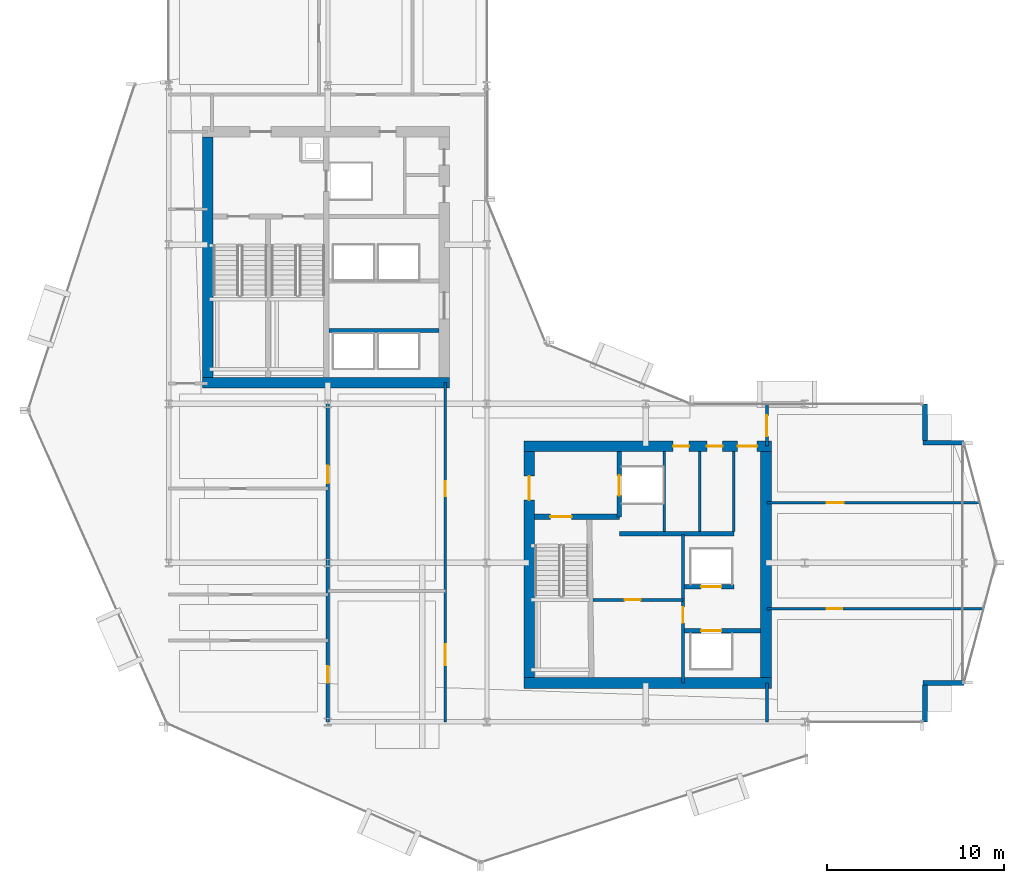
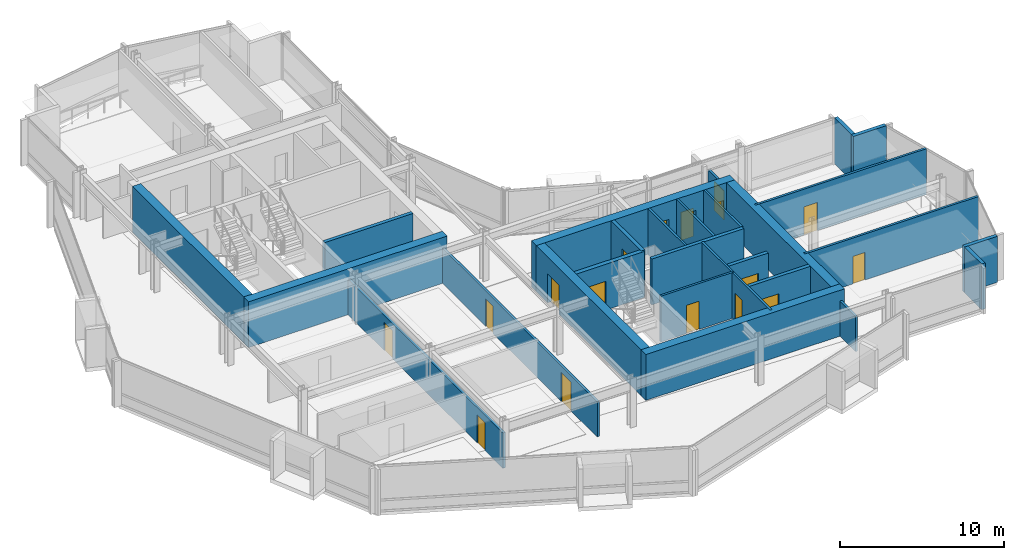
# One storey, part 22 of 29: 27 walls, 17 doors, 17 openings.
"""IFC4 building model written with IfcOpenShell, lengths in metres."""

from ifc_helpers import new_model, si_unit, direction, frame, frame_2d, origin, place, context, subcontext, project, spatial, rectangle, extrude, material, layer, layer_set, type_object, element, fill, save


model = new_model("IFC4")

# Units and contexts
model_context = context("Model", 3, precision=1e-05, world=origin(), true_north=direction((0.0, 1.0)))
body_context = subcontext(model_context, "Body", "Model", "MODEL_VIEW")
ifc_project = project(units=[si_unit("LENGTHUNIT", "METRE"), si_unit("AREAUNIT", "SQUARE_METRE"), si_unit("VOLUMEUNIT", "CUBIC_METRE"), si_unit("PLANEANGLEUNIT", "RADIAN"), si_unit("MASSUNIT", "GRAM", prefix="KILO")], contexts=[model_context])

# Site, building, storey
site_placement = place(None, origin())
site = spatial("IfcSite", under=ifc_project, at=site_placement, CompositionType="ELEMENT")
building_placement = place(site_placement, origin())
building = spatial("IfcBuilding", under=site, at=building_placement, Name="Solvaryn Broadcast Tower", CompositionType="ELEMENT")
storey_placement = place(building_placement, frame((0.0, 0.0, 113.699951171875)))
storey = spatial("IfcBuildingStorey", under=building, at=storey_placement, Name="L27", CompositionType="ELEMENT", Elevation=113.699951171875)

# Walls
ifc_material_1 = material(Name="Concrete f'c 70 MPa", Category="concrete")
ifc_layer_1 = layer(ifc_material_1, 0.60009765625)
ifc_layer_set_1 = layer_set([ifc_layer_1], Name="CW-SHEAR-600")
wall_type_1 = type_object("IfcWallType", Name="CW-SHEAR-600", PredefinedType="SHEAR", material=ifc_layer_set_1)
wall_1_placement = place(storey_placement, frame((10.89990234375, 28.199951171875, 0.0), z_axis=(0.0, 0.0, 1.0), x_axis=(1.0, 0.0, 0.0)))
element("IfcWall", 1, at=wall_1_placement, inside=storey, type_object=wall_type_1, Name="L27 West Core South Shear Wall", PredefinedType="SHEAR", context=body_context, shape_type="SweptSolid", body=[
    extrude(rectangle(XDim=14.0, YDim=0.60009765625, at=frame_2d((7.0, 0.0))), origin(), (0.0, 0.0, 1.0), 3.420166015625),
])
wall_2_placement = place(storey_placement, frame((11.199951171875, 42.10009765625, 0.0), z_axis=(0.0, 0.0, 1.0), x_axis=(0.0, -1.0, 0.0)))
element("IfcWall", 2, at=wall_2_placement, inside=storey, type_object=wall_type_1, Name="L27 West Core West Shear Wall", PredefinedType="SHEAR", context=body_context, shape_type="SweptSolid", body=[
    extrude(rectangle(XDim=13.60009765625, YDim=0.60009765625, at=frame_2d((6.800048828125, 0.0))), origin(), (0.0, 0.0, 1.0), 3.420166015625),
])
wall_3_placement = place(storey_placement, frame((29.10009765625, 11.199951171875, 0.0), z_axis=(0.0, 0.0, 1.0), x_axis=(1.0, 0.0, 0.0)))
element("IfcWall", 3, at=wall_3_placement, inside=storey, type_object=wall_type_1, Name="L27 East Core South Shear Wall", PredefinedType="SHEAR", context=body_context, shape_type="SweptSolid", body=[
    extrude(rectangle(XDim=14.0, YDim=0.60009765625, at=frame_2d((7.0, 0.0))), origin(), (0.0, 0.0, 1.0), 3.420166015625),
])

# Wall, openings, doors
wall_4_placement = place(storey_placement, frame((43.10009765625, 24.60009765625, 0.0), z_axis=(0.0, 0.0, 1.0), x_axis=(-1.0, 0.0, 0.0)))
wall_4 = element("IfcWall", 4, at=wall_4_placement, inside=storey, type_object=wall_type_1, Name="L27 East Core North Shear Wall", PredefinedType="SHEAR", context=body_context, shape_type="SweptSolid", body=[
    extrude(rectangle(XDim=14.0, YDim=0.60009765625, at=frame_2d((7.0, 0.0))), origin(), (0.0, 0.0, 1.0), 3.420166015625),
])
opening_1_placement = place(wall_4_placement, frame((0.800048828125, 0.0, 0.0)))
opening_1 = element("IfcOpeningElement", 5, at=opening_1_placement, cuts=wall_4, Name="Opening FD90C", PredefinedType="OPENING", context=body_context, shape_type="SweptSolid", body=[
    extrude(rectangle(XDim=1.10009765625, YDim=2.14990234375, at=frame_2d((0.550048828125, 1.074951171875))), frame((0.0, 0.31005859375, 0.0), z_axis=(0.0, -1.0, 0.0), x_axis=(1.0, 0.0, 0.0)), (0.0, 0.0, 1.0), 0.6201171875),
])
opening_2_placement = place(wall_4_placement, frame((2.75, 0.0, 0.0)))
opening_2 = element("IfcOpeningElement", 6, at=opening_2_placement, cuts=wall_4, Name="Opening FD60C", PredefinedType="OPENING", context=body_context, shape_type="SweptSolid", body=[
    extrude(rectangle(XDim=0.89990234375, YDim=2.10009765625, at=frame_2d((0.449951171875, 1.050048828125))), frame((0.0, 0.31005859375, 0.0), z_axis=(0.0, -1.0, 0.0), x_axis=(1.0, 0.0, 0.0)), (0.0, 0.0, 1.0), 0.6201171875),
])
opening_3_placement = place(wall_4_placement, frame((4.64990234375, 0.0, 0.0)))
opening_3 = element("IfcOpeningElement", 7, at=opening_3_placement, cuts=wall_4, Name="Opening FD60C", PredefinedType="OPENING", context=body_context, shape_type="SweptSolid", body=[
    extrude(rectangle(XDim=0.89990234375, YDim=2.10009765625, at=frame_2d((0.449951171875, 1.050048828125))), frame((0.0, 0.31005859375, 0.0), z_axis=(0.0, -1.0, 0.0), x_axis=(1.0, 0.0, 0.0)), (0.0, 0.0, 1.0), 0.6201171875),
])
ifc_material_2 = material(Name="Flush Acoustic Steel and Timber Door Assembly", Category="steel")
door_type_1 = type_object("IfcDoorType", Name="FD60-SERV-900X2100", OperationType="NOTDEFINED", PredefinedType="DOOR", material=ifc_material_2)
door_1_placement = place(opening_2_placement, origin())
door_1 = element("IfcDoor", 8, at=door_1_placement, inside=storey, type_object=door_type_1, Name="L27 Staff Restroom Door", OperationType="SINGLE_SWING_LEFT", OverallHeight=2.10009765625, OverallWidth=0.89990234375, PredefinedType="DOOR", context=body_context, shape_type="SweptSolid", body=[
    extrude(rectangle(XDim=0.89990234375, YDim=2.10009765625, at=frame_2d((0.449951171875, 1.050048828125))), frame((0.0, 0.02490234375, 0.0), z_axis=(0.0, -1.0, 0.0), x_axis=(1.0, 0.0, 0.0)), (0.0, 0.0, 1.0), 0.050048828125),
])
fill(opening_2, door_1)
door_2_placement = place(opening_3_placement, origin())
door_2 = element("IfcDoor", 9, at=door_2_placement, inside=storey, type_object=door_type_1, Name="L27 Accessible WC Door", OperationType="SINGLE_SWING_RIGHT", OverallHeight=2.10009765625, OverallWidth=0.89990234375, PredefinedType="DOOR", context=body_context, shape_type="SweptSolid", body=[
    extrude(rectangle(XDim=0.89990234375, YDim=2.10009765625, at=frame_2d((0.449951171875, 1.050048828125))), frame((0.0, 0.02490234375, 0.0), z_axis=(0.0, -1.0, 0.0), x_axis=(1.0, 0.0, 0.0)), (0.0, 0.0, 1.0), 0.050048828125),
])
fill(opening_3, door_2)
ifc_material_3 = material(Name="Flush Acoustic Steel and Timber Door Assembly", Category="steel")
door_type_2 = type_object("IfcDoorType", Name="FD90-PLANT-1100X2150", OperationType="NOTDEFINED", PredefinedType="DOOR", material=ifc_material_3)
door_3_placement = place(opening_1_placement, origin())
door_3 = element("IfcDoor", 10, at=door_3_placement, inside=storey, type_object=door_type_2, Name="L27 East Core Lobby Corridor Door", OperationType="SINGLE_SWING_LEFT", OverallHeight=2.14990234375, OverallWidth=1.10009765625, PredefinedType="DOOR", context=body_context, shape_type="SweptSolid", body=[
    extrude(rectangle(XDim=1.10009765625, YDim=2.14990234375, at=frame_2d((0.550048828125, 1.074951171875))), frame((0.0, 0.02490234375, 0.0), z_axis=(0.0, -1.0, 0.0), x_axis=(1.0, 0.0, 0.0)), (0.0, 0.0, 1.0), 0.050048828125),
])
fill(opening_1, door_3)

# Wall, opening, door
wall_5_placement = place(storey_placement, frame((29.39990234375, 24.300048828125, 0.0), z_axis=(0.0, 0.0, 1.0), x_axis=(0.0, -1.0, 0.0)))
wall_5 = element("IfcWall", 11, at=wall_5_placement, inside=storey, type_object=wall_type_1, Name="L27 East Core West Shear Wall", PredefinedType="SHEAR", context=body_context, shape_type="SweptSolid", body=[
    extrude(rectangle(XDim=12.800048828125, YDim=0.60009765625, at=frame_2d((6.39990234375, 0.0))), origin(), (0.0, 0.0, 1.0), 3.420166015625),
])
opening_4_placement = place(wall_5_placement, frame((1.39990234375, 0.0, 0.0)))
opening_4 = element("IfcOpeningElement", 12, at=opening_4_placement, cuts=wall_5, Name="Opening FD90B", PredefinedType="OPENING", context=body_context, shape_type="SweptSolid", body=[
    extrude(rectangle(XDim=1.35009765625, YDim=2.14990234375, at=frame_2d((0.675048828125, 1.074951171875))), frame((0.0, 0.31005859375, 0.0), z_axis=(0.0, -1.0, 0.0), x_axis=(1.0, 0.0, 0.0)), (0.0, 0.0, 1.0), 0.6201171875),
])
ifc_material_4 = material(Name="Flush Acoustic Steel and Timber Door Assembly", Category="steel")
door_type_3 = type_object("IfcDoorType", Name="FD90-LOBBY-1350X2150", OperationType="NOTDEFINED", PredefinedType="DOOR", material=ifc_material_4)
door_4_placement = place(opening_4_placement, origin())
door_4 = element("IfcDoor", 13, at=door_4_placement, inside=storey, type_object=door_type_3, Name="L27 East FSAE Lobby Door", OperationType="SINGLE_SWING_RIGHT", OverallHeight=2.14990234375, OverallWidth=1.35009765625, PredefinedType="DOOR", context=body_context, shape_type="SweptSolid", body=[
    extrude(rectangle(XDim=1.35009765625, YDim=2.14990234375, at=frame_2d((0.675048828125, 1.074951171875))), frame((0.0, 0.02490234375, 0.0), z_axis=(0.0, -1.0, 0.0), x_axis=(1.0, 0.0, 0.0)), (0.0, 0.0, 1.0), 0.050048828125),
])
fill(opening_4, door_4)

# Walls
wall_6_placement = place(storey_placement, frame((42.800048828125, 11.5, 0.0), z_axis=(0.0, 0.0, 1.0), x_axis=(0.0, 1.0, 0.0)))
element("IfcWall", 14, at=wall_6_placement, inside=storey, type_object=wall_type_1, Name="L27 East Core East Shear Wall", PredefinedType="SHEAR", context=body_context, shape_type="SweptSolid", body=[
    extrude(rectangle(XDim=12.800048828125, YDim=0.60009765625, at=frame_2d((6.39990234375, 0.0))), origin(), (0.0, 0.0, 1.0), 3.420166015625),
])
ifc_material_5 = material(Name="Concrete f'c 50 MPa", Category="concrete")
ifc_layer_2 = layer(ifc_material_5, 0.260009765625)
ifc_layer_set_2 = layer_set([ifc_layer_2], Name="EW-PIER-260")
wall_type_2 = type_object("IfcWallType", Name="EW-PIER-260", PredefinedType="SOLIDWALL", material=ifc_layer_set_2)
wall_7_placement = place(storey_placement, frame((51.800048828125, 9.0, 0.0), z_axis=(0.0, 0.0, 1.0), x_axis=(0.0, 1.0, 0.0)))
element("IfcWall", 15, at=wall_7_placement, inside=storey, type_object=wall_type_2, Name="L27 Notched Corner Pier Wall NSE1", PredefinedType="SOLIDWALL", context=body_context, shape_type="SweptSolid", body=[
    extrude(rectangle(XDim=2.080078125, YDim=0.260009765625, at=frame_2d((1.0400390625, 0.0))), origin(), (0.0, 0.0, 1.0), 3.420166015625),
])
for number, where, z_axis, x_axis, name in (
    (16, (51.679931640625, 11.199951171875, 0.0), (0.0, 0.0, 1.0), (1.0, 0.0, 0.0), "L27 Notched Corner Pier Wall NSE2"),
    (17, (54.0, 24.800048828125, 0.0), (0.0, 0.0, 1.0), (-1.0, 0.0, 0.0), "L27 Notched Corner Pier Wall NEE1"),
):
    element("IfcWall", number, at=place(storey_placement, frame(where, z_axis=z_axis, x_axis=x_axis)), inside=storey, type_object=wall_type_2, Name=name, PredefinedType="SOLIDWALL", context=body_context, shape_type="SweptSolid", body=[
        extrude(rectangle(XDim=2.320068359375, YDim=0.260009765625, at=frame_2d((1.16015625, 0.0))), origin(), (0.0, 0.0, 1.0), 3.420166015625),
    ])
wall_8_placement = place(storey_placement, frame((51.800048828125, 24.919921875, 0.0), z_axis=(0.0, 0.0, 1.0), x_axis=(0.0, 1.0, 0.0)))
element("IfcWall", 18, at=wall_8_placement, inside=storey, type_object=wall_type_2, Name="L27 Notched Corner Pier Wall NEE2", PredefinedType="SOLIDWALL", context=body_context, shape_type="SweptSolid", body=[
    extrude(rectangle(XDim=2.080078125, YDim=0.260009765625, at=frame_2d((1.0400390625, 0.0))), origin(), (0.0, 0.0, 1.0), 3.420166015625),
])

# Wall, opening, door
ifc_material_6 = material(Name="Metal-Stud Service Core Partition")
ifc_layer_3 = layer(ifc_material_6, 0.14990234375)
ifc_layer_set_3 = layer_set([ifc_layer_3], Name="IW-PART-150")
wall_type_3 = type_object("IfcWallType", Name="IW-PART-150", PredefinedType="PARTITIONING", material=ifc_layer_set_3)
wall_9_placement = place(storey_placement, frame((33.0, 15.89990234375, 0.0), z_axis=(0.0, 0.0, 1.0), x_axis=(1.0, 0.0, 0.0)))
wall_9 = element("IfcWall", 19, at=wall_9_placement, inside=storey, type_object=wall_type_3, Name="L27 Interior Partition IW-L27-RPL-H", PredefinedType="PARTITIONING", context=body_context, shape_type="SweptSolid", body=[
    extrude(rectangle(XDim=5.10009765625, YDim=0.14990234375, at=frame_2d((2.550048828125, 0.0))), origin(), (0.0, 0.0, 1.0), 3.420166015625),
])
opening_5_placement = place(wall_9_placement, frame((1.800048828125, 0.0, 0.0)))
opening_5 = element("IfcOpeningElement", 20, at=opening_5_placement, cuts=wall_9, Name="Opening FD60C", PredefinedType="OPENING", context=body_context, shape_type="SweptSolid", body=[
    extrude(rectangle(XDim=0.89990234375, YDim=2.10009765625, at=frame_2d((0.449951171875, 1.050048828125))), frame((0.0, 0.0849609375, 0.0), z_axis=(0.0, -1.0, 0.0), x_axis=(1.0, 0.0, 0.0)), (0.0, 0.0, 1.0), 0.169921875),
])
door_5_placement = place(opening_5_placement, origin())
door_5 = element("IfcDoor", 21, at=door_5_placement, inside=storey, type_object=door_type_1, Name="L27 Door DR-L27-RPL1", OperationType="SINGLE_SWING_LEFT", OverallHeight=2.10009765625, OverallWidth=0.89990234375, PredefinedType="DOOR", context=body_context, shape_type="SweptSolid", body=[
    extrude(rectangle(XDim=0.89990234375, YDim=2.10009765625, at=frame_2d((0.449951171875, 1.050048828125))), frame((0.0, 0.02490234375, 0.0), z_axis=(0.0, -1.0, 0.0), x_axis=(1.0, 0.0, 0.0)), (0.0, 0.0, 1.0), 0.050048828125),
])
fill(opening_5, door_5)

wall_10_placement = place(storey_placement, frame((38.10009765625, 11.199951171875, 0.0), z_axis=(0.0, 0.0, 1.0), x_axis=(0.0, 1.0, 0.0)))
wall_10 = element("IfcWall", 22, at=wall_10_placement, inside=storey, type_object=wall_type_3, Name="L27 Interior Partition IW-L27-RPL-E", PredefinedType="PARTITIONING", context=body_context, shape_type="SweptSolid", body=[
    extrude(rectangle(XDim=8.400146484375, YDim=0.14990234375, at=frame_2d((4.2001953125, 0.0))), origin(), (0.0, 0.0, 1.0), 3.420166015625),
])
opening_6_placement = place(wall_10_placement, frame((3.39990234375, 0.0, 0.0)))
opening_6 = element("IfcOpeningElement", 23, at=opening_6_placement, cuts=wall_10, Name="Opening FD60C", PredefinedType="OPENING", context=body_context, shape_type="SweptSolid", body=[
    extrude(rectangle(XDim=0.89990234375, YDim=2.10009765625, at=frame_2d((0.449951171875, 1.050048828125))), frame((0.0, 0.0849609375, 0.0), z_axis=(0.0, -1.0, 0.0), x_axis=(1.0, 0.0, 0.0)), (0.0, 0.0, 1.0), 0.169921875),
])
door_6_placement = place(opening_6_placement, origin())
door_6 = element("IfcDoor", 24, at=door_6_placement, inside=storey, type_object=door_type_1, Name="L27 Door DR-L27-RPL2", OperationType="SINGLE_SWING_RIGHT", OverallHeight=2.10009765625, OverallWidth=0.89990234375, PredefinedType="DOOR", context=body_context, shape_type="SweptSolid", body=[
    extrude(rectangle(XDim=0.89990234375, YDim=2.10009765625, at=frame_2d((0.449951171875, 1.050048828125))), frame((0.0, 0.02490234375, 0.0), z_axis=(0.0, -1.0, 0.0), x_axis=(1.0, 0.0, 0.0)), (0.0, 0.0, 1.0), 0.050048828125),
])
fill(opening_6, door_6)

# Walls
for number, where, z_axis, x_axis, name in (
    (25, (37.050048828125, 19.780029296875, 0.0), (0.0, 0.0, 1.0), (0.0, 1.0, 0.0), "L27 Interior Partition IW-L27-CE-FL2E"),
    (26, (39.050048828125, 19.780029296875, 0.0), (0.0, 0.0, 1.0), (0.0, 1.0, 0.0), "L27 Interior Partition IW-L27-CE-V1"),
    (27, (40.97998046875, 19.780029296875, 0.0), (0.0, 0.0, 1.0), (0.0, 1.0, 0.0), "L27 Interior Partition IW-L27-CE-V3"),
):
    element("IfcWall", number, at=place(storey_placement, frame(where, z_axis=z_axis, x_axis=x_axis)), inside=storey, type_object=wall_type_3, Name=name, PredefinedType="PARTITIONING", context=body_context, shape_type="SweptSolid", body=[
        extrude(rectangle(XDim=4.52001953125, YDim=0.14990234375, at=frame_2d((2.260009765625, 0.0))), origin(), (0.0, 0.0, 1.0), 3.420166015625),
    ])

# Wall, openings, doors
ifc_material_7 = material(Name="Metal-Stud Gypsum Office Partition")
ifc_layer_4 = layer(ifc_material_7, 0.159912109375)
ifc_layer_set_4 = layer_set([ifc_layer_4], Name="IW-PART-160")
wall_type_4 = type_object("IfcWallType", Name="IW-PART-160", PredefinedType="PARTITIONING", material=ifc_layer_set_4)
wall_11_placement = place(storey_placement, frame((24.64990234375, 9.0, 0.0), z_axis=(0.0, 0.0, 1.0), x_axis=(0.0, 1.0, 0.0)))
wall_11 = element("IfcWall", 28, at=wall_11_placement, inside=storey, type_object=wall_type_4, Name="L27 Interior Partition IW-L27-SW-EB", PredefinedType="PARTITIONING", context=body_context, shape_type="SweptSolid", body=[
    extrude(rectangle(XDim=19.199951171875, YDim=0.159912109375, at=frame_2d((9.60009765625, 0.0))), origin(), (0.0, 0.0, 1.0), 2.634033203125),
])
opening_7_placement = place(wall_11_placement, frame((3.199951171875, 0.0, 0.0)))
opening_7 = element("IfcOpeningElement", 29, at=opening_7_placement, cuts=wall_11, Name="Opening ID04", PredefinedType="OPENING", context=body_context, shape_type="SweptSolid", body=[
    extrude(rectangle(XDim=1.199951171875, YDim=2.14990234375, at=frame_2d((0.60009765625, 1.074951171875))), frame((0.0, 0.090087890625, 0.0), z_axis=(0.0, -1.0, 0.0), x_axis=(1.0, 0.0, 0.0)), (0.0, 0.0, 1.0), 0.179931640625),
])
opening_8_placement = place(wall_11_placement, frame((12.764892578125, 0.0, 0.0)))
opening_8 = element("IfcOpeningElement", 30, at=opening_8_placement, cuts=wall_11, Name="Opening ID07", PredefinedType="OPENING", context=body_context, shape_type="SweptSolid", body=[
    extrude(rectangle(XDim=0.860107421875, YDim=2.050048828125, at=frame_2d((0.43017578125, 1.02490234375))), frame((0.0, 0.090087890625, 0.0), z_axis=(0.0, -1.0, 0.0), x_axis=(1.0, 0.0, 0.0)), (0.0, 0.0, 1.0), 0.179931640625),
])
ifc_material_8 = material(Name="Flush Acoustic Steel and Timber Door Assembly", Category="steel")
door_type_4 = type_object("IfcDoorType", Name="ID-04-1200X2150", OperationType="NOTDEFINED", PredefinedType="DOOR", material=ifc_material_8)
door_7_placement = place(opening_7_placement, origin())
door_7 = element("IfcDoor", 31, at=door_7_placement, inside=storey, type_object=door_type_4, Name="L27 Door DR-L27-SWE-1", OperationType="SINGLE_SWING_RIGHT", OverallHeight=2.14990234375, OverallWidth=1.199951171875, PredefinedType="DOOR", context=body_context, shape_type="SweptSolid", body=[
    extrude(rectangle(XDim=1.199951171875, YDim=2.14990234375, at=frame_2d((0.60009765625, 1.074951171875))), frame((0.0, 0.02490234375, 0.0), z_axis=(0.0, -1.0, 0.0), x_axis=(1.0, 0.0, 0.0)), (0.0, 0.0, 1.0), 0.050048828125),
])
fill(opening_7, door_7)
ifc_material_9 = material(Name="Flush Acoustic Steel and Timber Door Assembly", Category="steel")
door_type_5 = type_object("IfcDoorType", Name="ID-07-860X2050", OperationType="NOTDEFINED", PredefinedType="DOOR", material=ifc_material_9)
door_8_placement = place(opening_8_placement, origin())
door_8 = element("IfcDoor", 32, at=door_8_placement, inside=storey, type_object=door_type_5, Name="L27 Door DR-L27-SWE-2", OperationType="SINGLE_SWING_LEFT", OverallHeight=2.050048828125, OverallWidth=0.860107421875, PredefinedType="DOOR", context=body_context, shape_type="SweptSolid", body=[
    extrude(rectangle(XDim=0.860107421875, YDim=2.050048828125, at=frame_2d((0.43017578125, 1.02490234375))), frame((0.0, 0.02490234375, 0.0), z_axis=(0.0, -1.0, 0.0), x_axis=(1.0, 0.0, 0.0)), (0.0, 0.0, 1.0), 0.050048828125),
])
fill(opening_8, door_8)

# Wall
wall_12_placement = place(storey_placement, frame((42.85009765625, 9.0, 0.0), z_axis=(0.0, 0.0, 1.0), x_axis=(0.0, 1.0, 0.0)))
element("IfcWall", 33, at=wall_12_placement, inside=storey, type_object=wall_type_4, Name="L27 Interior Partition IW-L27-SC-E", PredefinedType="PARTITIONING", context=body_context, shape_type="SweptSolid", body=[
    extrude(rectangle(XDim=2.199951171875, YDim=0.159912109375, at=frame_2d((1.10009765625, 0.0))), origin(), (0.0, 0.0, 1.0), 2.634033203125),
])

# Wall, opening, door
wall_13_placement = place(storey_placement, frame((42.85009765625, 24.60009765625, 0.0), z_axis=(0.0, 0.0, 1.0), x_axis=(0.0, 1.0, 0.0)))
wall_13 = element("IfcWall", 34, at=wall_13_placement, inside=storey, type_object=wall_type_4, Name="L27 Interior Partition IW-L27-EW-BN", PredefinedType="PARTITIONING", context=body_context, shape_type="SweptSolid", body=[
    extrude(rectangle(XDim=2.39990234375, YDim=0.159912109375, at=frame_2d((1.199951171875, 0.0))), origin(), (0.0, 0.0, 1.0), 2.634033203125),
])
opening_9_placement = place(wall_13_placement, frame((0.550048828125, 0.0, 0.0)))
opening_9 = element("IfcOpeningElement", 35, at=opening_9_placement, cuts=wall_13, Name="Opening ID04", PredefinedType="OPENING", context=body_context, shape_type="SweptSolid", body=[
    extrude(rectangle(XDim=1.199951171875, YDim=2.14990234375, at=frame_2d((0.60009765625, 1.074951171875))), frame((0.0, 0.090087890625, 0.0), z_axis=(0.0, -1.0, 0.0), x_axis=(1.0, 0.0, 0.0)), (0.0, 0.0, 1.0), 0.179931640625),
])
door_9_placement = place(opening_9_placement, origin())
door_9 = element("IfcDoor", 36, at=door_9_placement, inside=storey, type_object=door_type_4, Name="L27 Door DR-L27-EW0", OperationType="SINGLE_SWING_RIGHT", OverallHeight=2.14990234375, OverallWidth=1.199951171875, PredefinedType="DOOR", context=body_context, shape_type="SweptSolid", body=[
    extrude(rectangle(XDim=1.199951171875, YDim=2.14990234375, at=frame_2d((0.60009765625, 1.074951171875))), frame((0.0, 0.02490234375, 0.0), z_axis=(0.0, -1.0, 0.0), x_axis=(1.0, 0.0, 0.0)), (0.0, 0.0, 1.0), 0.050048828125),
])
fill(opening_9, door_9)

wall_14_placement = place(storey_placement, frame((42.85009765625, 15.39990234375, 0.0), z_axis=(0.0, 0.0, 1.0), x_axis=(1.0, 0.0, 0.0)))
wall_14 = element("IfcWall", 37, at=wall_14_placement, inside=storey, type_object=wall_type_4, Name="L27 Interior Partition IW-L27-EW-H1", PredefinedType="PARTITIONING", context=body_context, shape_type="SweptSolid", body=[
    extrude(rectangle(XDim=12.261962890625, YDim=0.159912109375, at=frame_2d((6.130859375, 0.0))), origin(), (0.0, 0.0, 1.0), 3.420166015625),
])
opening_10_placement = place(wall_14_placement, frame((3.39990234375, 0.0, 0.0)))
opening_10 = element("IfcOpeningElement", 38, at=opening_10_placement, cuts=wall_14, Name="Opening ID07", PredefinedType="OPENING", context=body_context, shape_type="SweptSolid", body=[
    extrude(rectangle(XDim=0.860107421875, YDim=2.050048828125, at=frame_2d((0.43017578125, 1.02490234375))), frame((0.0, 0.090087890625, 0.0), z_axis=(0.0, -1.0, 0.0), x_axis=(1.0, 0.0, 0.0)), (0.0, 0.0, 1.0), 0.179931640625),
])
door_10_placement = place(opening_10_placement, origin())
door_10 = element("IfcDoor", 39, at=door_10_placement, inside=storey, type_object=door_type_5, Name="L27 Door DR-L27-EW-1", OperationType="SINGLE_SWING_LEFT", OverallHeight=2.050048828125, OverallWidth=0.860107421875, PredefinedType="DOOR", context=body_context, shape_type="SweptSolid", body=[
    extrude(rectangle(XDim=0.860107421875, YDim=2.050048828125, at=frame_2d((0.43017578125, 1.02490234375))), frame((0.0, 0.02490234375, 0.0), z_axis=(0.0, -1.0, 0.0), x_axis=(1.0, 0.0, 0.0)), (0.0, 0.0, 1.0), 0.050048828125),
])
fill(opening_10, door_10)

wall_15_placement = place(storey_placement, frame((42.85009765625, 21.39990234375, 0.0), z_axis=(0.0, 0.0, 1.0), x_axis=(1.0, 0.0, 0.0)))
wall_15 = element("IfcWall", 40, at=wall_15_placement, inside=storey, type_object=wall_type_4, Name="L27 Interior Partition IW-L27-EW-H2", PredefinedType="PARTITIONING", context=body_context, shape_type="SweptSolid", body=[
    extrude(rectangle(XDim=12.0498046875, YDim=0.159912109375, at=frame_2d((6.02490234375, 0.0))), origin(), (0.0, 0.0, 1.0), 3.420166015625),
])
opening_11_placement = place(wall_15_placement, frame((3.39990234375, 0.0, 0.0)))
opening_11 = element("IfcOpeningElement", 41, at=opening_11_placement, cuts=wall_15, Name="Opening ID01", PredefinedType="OPENING", context=body_context, shape_type="SweptSolid", body=[
    extrude(rectangle(XDim=0.949951171875, YDim=2.10009765625, at=frame_2d((0.47509765625, 1.050048828125))), frame((0.0, 0.090087890625, 0.0), z_axis=(0.0, -1.0, 0.0), x_axis=(1.0, 0.0, 0.0)), (0.0, 0.0, 1.0), 0.179931640625),
])
ifc_material_10 = material(Name="Flush Acoustic Steel and Timber Door Assembly", Category="steel")
door_type_6 = type_object("IfcDoorType", Name="ID-01-950X2100", OperationType="NOTDEFINED", PredefinedType="DOOR", material=ifc_material_10)
door_11_placement = place(opening_11_placement, origin())
door_11 = element("IfcDoor", 42, at=door_11_placement, inside=storey, type_object=door_type_6, Name="L27 Door DR-L27-EW-2", OperationType="SINGLE_SWING_RIGHT", OverallHeight=2.10009765625, OverallWidth=0.949951171875, PredefinedType="DOOR", context=body_context, shape_type="SweptSolid", body=[
    extrude(rectangle(XDim=0.949951171875, YDim=2.10009765625, at=frame_2d((0.47509765625, 1.050048828125))), frame((0.0, 0.02490234375, 0.0), z_axis=(0.0, -1.0, 0.0), x_axis=(1.0, 0.0, 0.0)), (0.0, 0.0, 1.0), 0.050048828125),
])
fill(opening_11, door_11)

# Wall, openings, doors
ifc_material_11 = material(Name="Acoustic Metal-Stud Gypsum Partition")
ifc_layer_5 = layer(ifc_material_11, 0.179931640625)
ifc_layer_set_5 = layer_set([ifc_layer_5], Name="IW-PART-180")
wall_type_5 = type_object("IfcWallType", Name="IW-PART-180", PredefinedType="PARTITIONING", material=ifc_layer_set_5)
wall_16_placement = place(storey_placement, frame((18.0, 9.0, 0.0), z_axis=(0.0, 0.0, 1.0), x_axis=(0.0, 1.0, 0.0)))
wall_16 = element("IfcWall", 43, at=wall_16_placement, inside=storey, type_object=wall_type_5, Name="L27 Interior Partition IW-L27-SW-VX", PredefinedType="PARTITIONING", context=body_context, shape_type="SweptSolid", body=[
    extrude(rectangle(XDim=19.1298828125, YDim=0.179931640625, at=frame_2d((9.56494140625, 0.0))), origin(), (0.0, 0.0, 1.0), 2.634033203125),
])
opening_12_placement = place(wall_16_placement, frame((2.199951171875, 0.0, 0.0)))
opening_12 = element("IfcOpeningElement", 44, at=opening_12_placement, cuts=wall_16, Name="Opening ID01", PredefinedType="OPENING", context=body_context, shape_type="SweptSolid", body=[
    extrude(rectangle(XDim=0.949951171875, YDim=2.10009765625, at=frame_2d((0.47509765625, 1.050048828125))), frame((0.0, 0.099853515625, 0.0), z_axis=(0.0, -1.0, 0.0), x_axis=(1.0, 0.0, 0.0)), (0.0, 0.0, 1.0), 0.199951171875),
])
opening_13_placement = place(wall_16_placement, frame((13.5, 0.0, 0.0)))
opening_13 = element("IfcOpeningElement", 45, at=opening_13_placement, cuts=wall_16, Name="Opening ID02", PredefinedType="OPENING", context=body_context, shape_type="SweptSolid", body=[
    extrude(rectangle(XDim=1.0, YDim=2.10009765625, at=frame_2d((0.5, 1.050048828125))), frame((0.0, 0.099853515625, 0.0), z_axis=(0.0, -1.0, 0.0), x_axis=(1.0, 0.0, 0.0)), (0.0, 0.0, 1.0), 0.199951171875),
])
door_12_placement = place(opening_12_placement, origin())
door_12 = element("IfcDoor", 46, at=door_12_placement, inside=storey, type_object=door_type_6, Name="L27 Door DR-L27-SWW-X1", OperationType="SINGLE_SWING_RIGHT", OverallHeight=2.10009765625, OverallWidth=0.949951171875, PredefinedType="DOOR", context=body_context, shape_type="SweptSolid", body=[
    extrude(rectangle(XDim=0.949951171875, YDim=2.10009765625, at=frame_2d((0.47509765625, 1.050048828125))), frame((0.0, 0.02490234375, 0.0), z_axis=(0.0, -1.0, 0.0), x_axis=(1.0, 0.0, 0.0)), (0.0, 0.0, 1.0), 0.050048828125),
])
fill(opening_12, door_12)
ifc_material_12 = material(Name="Flush Acoustic Steel and Timber Door Assembly", Category="steel")
door_type_7 = type_object("IfcDoorType", Name="ID-02-1000X2100", OperationType="NOTDEFINED", PredefinedType="DOOR", material=ifc_material_12)
door_13_placement = place(opening_13_placement, origin())
door_13 = element("IfcDoor", 47, at=door_13_placement, inside=storey, type_object=door_type_7, Name="L27 Door DR-L27-SWW-X2", OperationType="SINGLE_SWING_LEFT", OverallHeight=2.10009765625, OverallWidth=1.0, PredefinedType="DOOR", context=body_context, shape_type="SweptSolid", body=[
    extrude(rectangle(XDim=1.0, YDim=2.10009765625, at=frame_2d((0.5, 1.050048828125))), frame((0.0, 0.02490234375, 0.0), z_axis=(0.0, -1.0, 0.0), x_axis=(1.0, 0.0, 0.0)), (0.0, 0.0, 1.0), 0.050048828125),
])
fill(opening_13, door_13)

# Wall
ifc_material_13 = material(Name="Concrete f'c 60 MPa", Category="concrete")
ifc_layer_6 = layer(ifc_material_13, 0.25)
ifc_layer_set_6 = layer_set([ifc_layer_6], Name="SW-SHAFT-250")
wall_type_6 = type_object("IfcWallType", Name="SW-SHAFT-250", PredefinedType="PARTITIONING", material=ifc_layer_set_6)
wall_17_placement = place(storey_placement, frame((18.070068359375, 31.14990234375, 0.0), z_axis=(0.0, 0.0, 1.0), x_axis=(1.0, 0.0, 0.0)))
element("IfcWall", 48, at=wall_17_placement, inside=storey, type_object=wall_type_6, Name="L27 High-Rise Lift Bank South Wall", PredefinedType="PARTITIONING", context=body_context, shape_type="SweptSolid", body=[
    extrude(rectangle(XDim=6.22998046875, YDim=0.25, at=frame_2d((3.114990234375, 0.0))), origin(), (0.0, 0.0, 1.0), 3.420166015625),
])

# Wall, opening, door
wall_18_placement = place(storey_placement, frame((34.5, 20.60009765625, 0.0), z_axis=(0.0, 0.0, 1.0), x_axis=(0.0, 1.0, 0.0)))
wall_18 = element("IfcWall", 49, at=wall_18_placement, inside=storey, type_object=wall_type_6, Name="L27 East FSAE Lobby East Wall", PredefinedType="PARTITIONING", context=body_context, shape_type="SweptSolid", body=[
    extrude(rectangle(XDim=3.699951171875, YDim=0.25, at=frame_2d((1.85009765625, 0.0))), origin(), (0.0, 0.0, 1.0), 3.420166015625),
])
opening_14_placement = place(wall_18_placement, frame((1.199951171875, 0.0, 0.0)))
opening_14 = element("IfcOpeningElement", 50, at=opening_14_placement, cuts=wall_18, Name="Opening LD01", PredefinedType="OPENING", context=body_context, shape_type="SweptSolid", body=[
    extrude(rectangle(XDim=1.14990234375, YDim=2.14990234375, at=frame_2d((0.574951171875, 1.074951171875))), frame((0.0, 0.135009765625, 0.0), z_axis=(0.0, -1.0, 0.0), x_axis=(1.0, 0.0, 0.0)), (0.0, 0.0, 1.0), 0.27001953125),
])
ifc_material_14 = material(Name="Flush Acoustic Steel and Timber Door Assembly", Category="steel")
door_type_8 = type_object("IfcDoorType", Name="LD-LIFT-1150X2150", OperationType="NOTDEFINED", PredefinedType="DOOR", material=ifc_material_14)
door_14_placement = place(opening_14_placement, origin())
door_14 = element("IfcDoor", 51, at=door_14_placement, inside=storey, type_object=door_type_8, Name="L27 FL2 Lift Landing Door", OperationType="DOUBLE_DOOR_SLIDING", OverallHeight=2.14990234375, OverallWidth=1.14990234375, PredefinedType="DOOR", context=body_context, shape_type="SweptSolid", body=[
    extrude(rectangle(XDim=1.14990234375, YDim=2.14990234375, at=frame_2d((0.574951171875, 1.074951171875))), frame((0.0, 0.02490234375, 0.0), z_axis=(0.0, -1.0, 0.0), x_axis=(1.0, 0.0, 0.0)), (0.0, 0.0, 1.0), 0.050048828125),
])
fill(opening_14, door_14)

# Wall
wall_19_placement = place(storey_placement, frame((34.5, 19.64990234375, 0.0), z_axis=(0.0, 0.0, 1.0), x_axis=(1.0, 0.0, 0.0)))
element("IfcWall", 52, at=wall_19_placement, inside=storey, type_object=wall_type_6, Name="L27 East Core Restroom South Wall", PredefinedType="PARTITIONING", context=body_context, shape_type="SweptSolid", body=[
    extrude(rectangle(XDim=6.47998046875, YDim=0.25, at=frame_2d((3.239990234375, 0.0))), origin(), (0.0, 0.0, 1.0), 3.420166015625),
])

# Wall, opening, door
wall_20_placement = place(storey_placement, frame((38.199951171875, 14.14990234375, 0.0), z_axis=(0.0, 0.0, 1.0), x_axis=(1.0, 0.0, 0.0)))
wall_20 = element("IfcWall", 53, at=wall_20_placement, inside=storey, type_object=wall_type_6, Name="L27 East Lift Bank South Wall", PredefinedType="PARTITIONING", context=body_context, shape_type="SweptSolid", body=[
    extrude(rectangle(XDim=4.300048828125, YDim=0.25, at=frame_2d((2.14990234375, 0.0))), origin(), (0.0, 0.0, 1.0), 3.420166015625),
])
opening_15_placement = place(wall_20_placement, frame((0.925048828125, 0.0, 0.0)))
opening_15 = element("IfcOpeningElement", 54, at=opening_15_placement, cuts=wall_20, Name="Opening LD01", PredefinedType="OPENING", context=body_context, shape_type="SweptSolid", body=[
    extrude(rectangle(XDim=1.14990234375, YDim=2.14990234375, at=frame_2d((0.574951171875, 1.074951171875))), frame((0.0, 0.135009765625, 0.0), z_axis=(0.0, -1.0, 0.0), x_axis=(1.0, 0.0, 0.0)), (0.0, 0.0, 1.0), 0.27001953125),
])
door_15_placement = place(opening_15_placement, origin())
door_15 = element("IfcDoor", 55, at=door_15_placement, inside=storey, type_object=door_type_8, Name="L27 PM1 Lift Landing Door", OperationType="DOUBLE_DOOR_SLIDING", OverallHeight=2.14990234375, OverallWidth=1.14990234375, PredefinedType="DOOR", context=body_context, shape_type="SweptSolid", body=[
    extrude(rectangle(XDim=1.14990234375, YDim=2.14990234375, at=frame_2d((0.574951171875, 1.074951171875))), frame((0.0, 0.02490234375, 0.0), z_axis=(0.0, -1.0, 0.0), x_axis=(1.0, 0.0, 0.0)), (0.0, 0.0, 1.0), 0.050048828125),
])
fill(opening_15, door_15)

wall_21_placement = place(storey_placement, frame((40.97998046875, 16.64990234375, 0.0), z_axis=(0.0, 0.0, 1.0), x_axis=(-1.0, 0.0, 0.0)))
wall_21 = element("IfcWall", 56, at=wall_21_placement, inside=storey, type_object=wall_type_6, Name="L27 East Lift Bank North Wall", PredefinedType="PARTITIONING", context=body_context, shape_type="SweptSolid", body=[
    extrude(rectangle(XDim=2.780029296875, YDim=0.25, at=frame_2d((1.39013671875, 0.0))), origin(), (0.0, 0.0, 1.0), 3.420166015625),
])
opening_16_placement = place(wall_21_placement, frame((0.705078125, 0.0, 0.0)))
opening_16 = element("IfcOpeningElement", 57, at=opening_16_placement, cuts=wall_21, Name="Opening LD01", PredefinedType="OPENING", context=body_context, shape_type="SweptSolid", body=[
    extrude(rectangle(XDim=1.14990234375, YDim=2.14990234375, at=frame_2d((0.574951171875, 1.074951171875))), frame((0.0, 0.135009765625, 0.0), z_axis=(0.0, -1.0, 0.0), x_axis=(1.0, 0.0, 0.0)), (0.0, 0.0, 1.0), 0.27001953125),
])
door_16_placement = place(opening_16_placement, origin())
door_16 = element("IfcDoor", 58, at=door_16_placement, inside=storey, type_object=door_type_8, Name="L27 PM2 Lift Landing Door", OperationType="DOUBLE_DOOR_SLIDING", OverallHeight=2.14990234375, OverallWidth=1.14990234375, PredefinedType="DOOR", context=body_context, shape_type="SweptSolid", body=[
    extrude(rectangle(XDim=1.14990234375, YDim=2.14990234375, at=frame_2d((0.574951171875, 1.074951171875))), frame((0.0, 0.02490234375, 0.0), z_axis=(0.0, -1.0, 0.0), x_axis=(1.0, 0.0, 0.0)), (0.0, 0.0, 1.0), 0.050048828125),
])
fill(opening_16, door_16)

ifc_material_15 = material(Name="Concrete f'c 70 MPa", Category="concrete")
ifc_layer_7 = layer(ifc_material_15, 0.300048828125)
ifc_layer_set_7 = layer_set([ifc_layer_7], Name="SW-SHAFT-300")
wall_type_7 = type_object("IfcWallType", Name="SW-SHAFT-300", PredefinedType="SHEAR", material=ifc_layer_set_7)
wall_22_placement = place(storey_placement, frame((34.5, 20.60009765625, 0.0), z_axis=(0.0, 0.0, 1.0), x_axis=(-1.0, 0.0, 0.0)))
wall_22 = element("IfcWall", 59, at=wall_22_placement, inside=storey, type_object=wall_type_7, Name="L27 East FSAE Lobby South Wall", PredefinedType="SHEAR", context=body_context, shape_type="SweptSolid", body=[
    extrude(rectangle(XDim=4.800048828125, YDim=0.300048828125, at=frame_2d((2.39990234375, 0.0))), origin(), (0.0, 0.0, 1.0), 3.420166015625),
])
opening_17_placement = place(wall_22_placement, frame((2.699951171875, 0.0, 0.0)))
opening_17 = element("IfcOpeningElement", 60, at=opening_17_placement, cuts=wall_22, Name="Opening FD90A", PredefinedType="OPENING", context=body_context, shape_type="SweptSolid", body=[
    extrude(rectangle(XDim=1.199951171875, YDim=2.14990234375, at=frame_2d((0.60009765625, 1.074951171875))), frame((0.0, 0.159912109375, 0.0), z_axis=(0.0, -1.0, 0.0), x_axis=(1.0, 0.0, 0.0)), (0.0, 0.0, 1.0), 0.320068359375),
])
ifc_material_16 = material(Name="Flush Acoustic Steel and Timber Door Assembly", Category="steel")
door_type_9 = type_object("IfcDoorType", Name="FD90-STAIR-1200X2150", OperationType="NOTDEFINED", PredefinedType="DOOR", material=ifc_material_16)
door_17_placement = place(opening_17_placement, origin())
door_17 = element("IfcDoor", 61, at=door_17_placement, inside=storey, type_object=door_type_9, Name="L27 Stair 3 Fire Door", OperationType="SINGLE_SWING_LEFT", OverallHeight=2.14990234375, OverallWidth=1.199951171875, PredefinedType="DOOR", context=body_context, shape_type="SweptSolid", body=[
    extrude(rectangle(XDim=1.199951171875, YDim=2.14990234375, at=frame_2d((0.60009765625, 1.074951171875))), frame((0.0, 0.02490234375, 0.0), z_axis=(0.0, -1.0, 0.0), x_axis=(1.0, 0.0, 0.0)), (0.0, 0.0, 1.0), 0.050048828125),
])
fill(opening_17, door_17)

save(model, "model.ifc")
